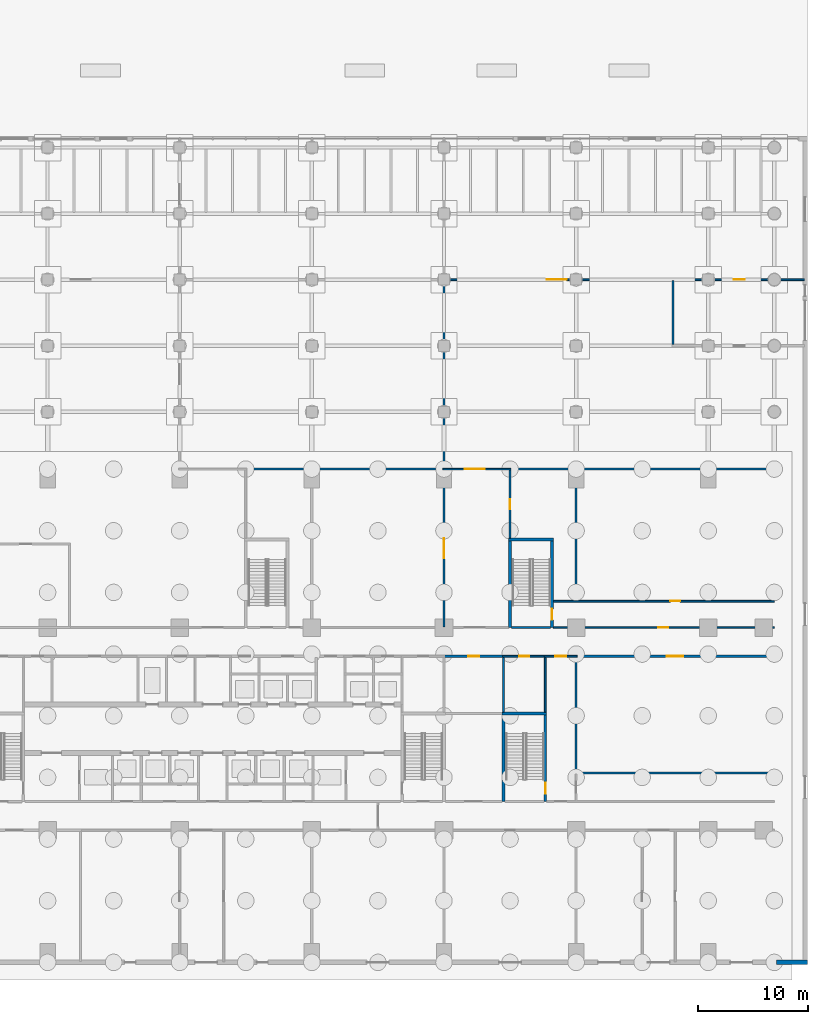
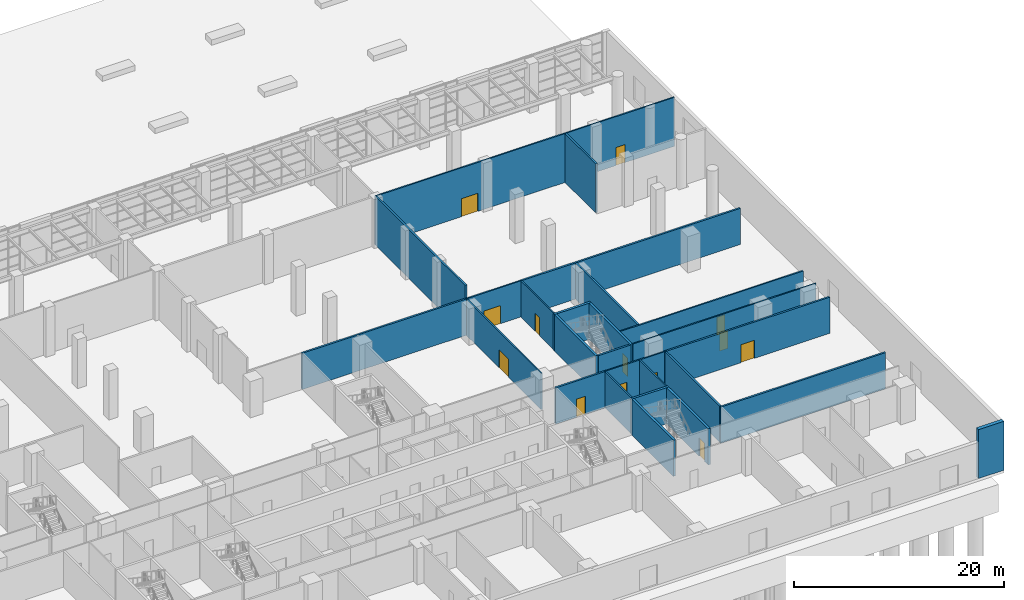
# One storey, part 21 of 27: 27 walls, 13 doors, 13 openings.
"""IFC4 building model written with IfcOpenShell, lengths in metres."""

from ifc_helpers import new_model, si_unit, direction, frame, frame_2d, origin, place, context, subcontext, project, spatial, rectangle, extrude, material, layer, layer_set, type_object, element, fill, save


model = new_model("IFC4")

# Units and contexts
model_context = context("Model", 3, precision=1e-05, world=origin(), true_north=direction((0.0, 1.0)))
body_context = subcontext(model_context, "Body", "Model", "MODEL_VIEW")
ifc_project = project(units=[si_unit("LENGTHUNIT", "METRE"), si_unit("AREAUNIT", "SQUARE_METRE"), si_unit("VOLUMEUNIT", "CUBIC_METRE"), si_unit("PLANEANGLEUNIT", "RADIAN"), si_unit("MASSUNIT", "GRAM", prefix="KILO")], contexts=[model_context])

# Site, building, storey
site_placement = place(None, origin())
site = spatial("IfcSite", under=ifc_project, at=site_placement, CompositionType="ELEMENT")
building_placement = place(site_placement, origin())
building = spatial("IfcBuilding", under=site, at=building_placement, Name="Poui Terraces", CompositionType="ELEMENT")
storey_placement = place(building_placement, origin())
storey = spatial("IfcBuildingStorey", under=building, at=storey_placement, Name="L00", CompositionType="ELEMENT", Elevation=0.0)

# Walls
ifc_material_1 = material(Name="Fire-rated masonry wall", Category="masonry")
ifc_layer_1 = layer(ifc_material_1, 0.199951171875)
ifc_layer_set_1 = layer_set([ifc_layer_1], Name="Fire-rated masonry wall")
wall_type_1 = type_object("IfcWallType", Name="COMPARTMENT WALL 200", PredefinedType="PARTITIONING", material=ifc_layer_set_1)
wall_1_placement = place(storey_placement, frame((53.925048828125, 44.800048828125, 0.0), z_axis=(0.0, 0.0, 1.0), x_axis=(1.0, 0.0, 0.0)))
element("IfcWall", 1, at=wall_1_placement, inside=storey, type_object=wall_type_1, Name="COMPARTMENT WALL 200", PredefinedType="PARTITIONING", context=body_context, shape_type="SweptSolid", body=[
    extrude(rectangle(XDim=18.175048828125, YDim=0.199951171875, at=frame_2d((9.08740234375, 0.0))), origin(), (0.0, 0.0, 1.0), 4.199951171875),
])
wall_2_placement = place(storey_placement, frame((77.925048828125, 44.800048828125, 0.0), z_axis=(0.0, 0.0, 1.0), x_axis=(1.0, 0.0, 0.0)))
element("IfcWall", 2, at=wall_2_placement, inside=storey, type_object=wall_type_1, Name="COMPARTMENT WALL 200", PredefinedType="PARTITIONING", context=body_context, shape_type="SweptSolid", body=[
    extrude(rectangle(XDim=24.074951171875, YDim=0.199951171875, at=frame_2d((12.03759765625, 0.0))), origin(), (0.0, 0.0, 1.0), 4.199951171875),
])
wall_3_placement = place(storey_placement, frame((84.0, 32.875, 0.0), z_axis=(0.0, 0.0, 1.0), x_axis=(0.0, 1.0, 0.0)))
element("IfcWall", 3, at=wall_3_placement, inside=storey, type_object=wall_type_1, Name="COMPARTMENT WALL 200", PredefinedType="PARTITIONING", context=body_context, shape_type="SweptSolid", body=[
    extrude(rectangle(XDim=11.824951171875, YDim=0.199951171875, at=frame_2d((5.91259765625, 0.0))), origin(), (0.0, 0.0, 1.0), 4.199951171875),
])
ifc_layer_2 = layer(ifc_material_1, 0.199951171875)
ifc_layer_set_2 = layer_set([ifc_layer_2], Name="Fire-rated masonry wall")
wall_type_2 = type_object("IfcWallType", Name="COMPARTMENT WALL 200 5680 HIGH", PredefinedType="PARTITIONING", material=ifc_layer_set_2)
wall_4_placement = place(storey_placement, frame((72.0, 44.89990234375, 0.0), z_axis=(0.0, 0.0, 1.0), x_axis=(0.0, 1.0, 0.0)))
element("IfcWall", 4, at=wall_4_placement, inside=storey, type_object=wall_type_2, Name="COMPARTMENT WALL 200", PredefinedType="PARTITIONING", context=body_context, shape_type="SweptSolid", body=[
    extrude(rectangle(XDim=17.0, YDim=0.199951171875, at=frame_2d((8.5, 0.0))), origin(), (0.0, 0.0, 1.0), 5.679931640625),
])
wall_5_placement = place(storey_placement, frame((92.800048828125, 56.10009765625, 0.0), z_axis=(0.0, 0.0, 1.0), x_axis=(0.0, 1.0, 0.0)))
element("IfcWall", 5, at=wall_5_placement, inside=storey, type_object=wall_type_2, Name="COMPARTMENT WALL 200", PredefinedType="PARTITIONING", context=body_context, shape_type="SweptSolid", body=[
    extrude(rectangle(XDim=5.824951171875, YDim=0.199951171875, at=frame_2d((2.91259765625, 0.0))), origin(), (0.0, 0.0, 1.0), 5.679931640625),
])

# Wall, opening, door
ifc_material_2 = material(Name="Fire-rated plasterboard wall")
ifc_layer_3 = layer(ifc_material_2, 0.14990234375)
ifc_layer_set_3 = layer_set([ifc_layer_3], Name="Fire-rated plasterboard wall")
wall_type_3 = type_object("IfcWallType", Name="CORRIDOR WALL 150", PredefinedType="PARTITIONING", material=ifc_layer_set_3)
wall_6_placement = place(storey_placement, frame((81.125, 27.800048828125, 0.0), z_axis=(0.0, 0.0, 1.0), x_axis=(1.0, 0.0, 0.0)))
wall_6 = element("IfcWall", 6, at=wall_6_placement, inside=storey, type_object=wall_type_3, Name="CORRIDOR WALL 150", PredefinedType="PARTITIONING", context=body_context, shape_type="SweptSolid", body=[
    extrude(rectangle(XDim=2.97509765625, YDim=0.14990234375, at=frame_2d((1.487548828125, 0.0))), origin(), (0.0, 0.0, 1.0), 4.199951171875),
])
opening_1_placement = place(wall_6_placement, frame((0.97509765625, 0.0, 0.0)))
opening_1 = element("IfcOpeningElement", 7, at=opening_1_placement, cuts=wall_6, Name="Opening FDL", PredefinedType="OPENING", context=body_context, shape_type="SweptSolid", body=[
    extrude(rectangle(XDim=1.0, YDim=2.10009765625, at=frame_2d((0.5, 1.050048828125))), frame((0.0, 0.0849609375, 0.0), z_axis=(0.0, -1.0, 0.0), x_axis=(1.0, 0.0, 0.0)), (0.0, 0.0, 1.0), 0.169921875),
])
ifc_material_3 = material(Name="Steel fire door", Category="steel")
door_type_1 = type_object("IfcDoorType", Name="LOBBY FIRE DOOR 1000 X 2100", OperationType="NOTDEFINED", PredefinedType="DOOR", material=ifc_material_3)
door_1_placement = place(opening_1_placement, origin())
door_1 = element("IfcDoor", 8, at=door_1_placement, inside=storey, type_object=door_type_1, Name="LOBBY FIRE DOOR 041", OperationType="SINGLE_SWING_LEFT", OverallHeight=2.10009765625, OverallWidth=1.0, PredefinedType="DOOR", context=body_context, shape_type="SweptSolid", body=[
    extrude(rectangle(XDim=1.0, YDim=2.10009765625, at=frame_2d((0.5, 1.050048828125))), frame((0.0, 0.02490234375, 0.0), z_axis=(0.0, -1.0, 0.0), x_axis=(1.0, 0.0, 0.0)), (0.0, 0.0, 1.0), 0.050048828125),
])
fill(opening_1, door_1)

wall_7_placement = place(storey_placement, frame((81.93505859375, 30.39990234375, 0.0), z_axis=(0.0, 0.0, 1.0), x_axis=(1.0, 0.0, 0.0)))
wall_7 = element("IfcWall", 9, at=wall_7_placement, inside=storey, type_object=wall_type_3, Name="CORRIDOR WALL 150", PredefinedType="PARTITIONING", context=body_context, shape_type="SweptSolid", body=[
    extrude(rectangle(XDim=20.06494140625, YDim=0.14990234375, at=frame_2d((10.032470703125, 0.0))), origin(), (0.0, 0.0, 1.0), 4.199951171875),
])
opening_2_placement = place(wall_7_placement, frame((9.514892578125, 0.0, 0.0)))
opening_2 = element("IfcOpeningElement", 10, at=opening_2_placement, cuts=wall_7, Name="Opening D90", PredefinedType="OPENING", context=body_context, shape_type="SweptSolid", body=[
    extrude(rectangle(XDim=0.89990234375, YDim=2.10009765625, at=frame_2d((0.449951171875, 1.050048828125))), frame((0.0, 0.0849609375, 0.0), z_axis=(0.0, -1.0, 0.0), x_axis=(1.0, 0.0, 0.0)), (0.0, 0.0, 1.0), 0.169921875),
])
ifc_material_4 = material(Name="Solid core timber door", Category="wood")
door_type_2 = type_object("IfcDoorType", Name="INTERNAL DOOR 900 X 2100", OperationType="NOTDEFINED", PredefinedType="DOOR", material=ifc_material_4)
door_2_placement = place(opening_2_placement, frame((0.89990234375, 0.0, 0.0), z_axis=(0.0, 0.0, 1.0), x_axis=(-1.0, 0.0, 0.0)))
door_2 = element("IfcDoor", 11, at=door_2_placement, inside=storey, type_object=door_type_2, Name="INTERNAL DOOR 042", OperationType="SINGLE_SWING_LEFT", OverallHeight=2.10009765625, OverallWidth=0.89990234375, PredefinedType="DOOR", context=body_context, shape_type="SweptSolid", body=[
    extrude(rectangle(XDim=0.89990234375, YDim=2.10009765625, at=frame_2d((0.449951171875, 1.050048828125))), frame((0.0, 0.02490234375, 0.0), z_axis=(0.0, -1.0, 0.0), x_axis=(1.0, 0.0, 0.0)), (0.0, 0.0, 1.0), 0.050048828125),
])
fill(opening_2, door_2)

wall_8_placement = place(storey_placement, frame((81.93505859375, 32.800048828125, 0.0), z_axis=(0.0, 0.0, 1.0), x_axis=(1.0, 0.0, 0.0)))
wall_8 = element("IfcWall", 12, at=wall_8_placement, inside=storey, type_object=wall_type_3, Name="CORRIDOR WALL 150", PredefinedType="PARTITIONING", context=body_context, shape_type="SweptSolid", body=[
    extrude(rectangle(XDim=20.06494140625, YDim=0.14990234375, at=frame_2d((10.032470703125, 0.0))), origin(), (0.0, 0.0, 1.0), 4.199951171875),
])
opening_3_placement = place(wall_8_placement, frame((10.614990234375, 0.0, 0.0)))
opening_3 = element("IfcOpeningElement", 13, at=opening_3_placement, cuts=wall_8, Name="Opening D90", PredefinedType="OPENING", context=body_context, shape_type="SweptSolid", body=[
    extrude(rectangle(XDim=0.89990234375, YDim=2.10009765625, at=frame_2d((0.449951171875, 1.050048828125))), frame((0.0, 0.0849609375, 0.0), z_axis=(0.0, -1.0, 0.0), x_axis=(1.0, 0.0, 0.0)), (0.0, 0.0, 1.0), 0.169921875),
])
door_3_placement = place(opening_3_placement, frame((0.89990234375, 0.0, 0.0), z_axis=(0.0, 0.0, 1.0), x_axis=(-1.0, 0.0, 0.0)))
door_3 = element("IfcDoor", 14, at=door_3_placement, inside=storey, type_object=door_type_2, Name="INTERNAL DOOR 080", OperationType="SINGLE_SWING_RIGHT", OverallHeight=2.10009765625, OverallWidth=0.89990234375, PredefinedType="DOOR", context=body_context, shape_type="SweptSolid", body=[
    extrude(rectangle(XDim=0.89990234375, YDim=2.10009765625, at=frame_2d((0.449951171875, 1.050048828125))), frame((0.0, 0.02490234375, 0.0), z_axis=(0.0, -1.0, 0.0), x_axis=(1.0, 0.0, 0.0)), (0.0, 0.0, 1.0), 0.050048828125),
])
fill(opening_3, door_3)

wall_9_placement = place(storey_placement, frame((71.89990234375, 44.800048828125, 0.0), z_axis=(0.0, 0.0, 1.0), x_axis=(1.0, 0.0, 0.0)))
wall_9 = element("IfcWall", 15, at=wall_9_placement, inside=storey, type_object=wall_type_3, Name="CORRIDOR WALL 150", PredefinedType="PARTITIONING", context=body_context, shape_type="SweptSolid", body=[
    extrude(rectangle(XDim=6.175048828125, YDim=0.14990234375, at=frame_2d((3.08740234375, 0.0))), origin(), (0.0, 0.0, 1.0), 4.199951171875),
])
opening_4_placement = place(wall_9_placement, frame((2.0, 0.0, 0.0)))
opening_4 = element("IfcOpeningElement", 16, at=opening_4_placement, cuts=wall_9, Name="Opening DD180", PredefinedType="OPENING", context=body_context, shape_type="SweptSolid", body=[
    extrude(rectangle(XDim=1.800048828125, YDim=2.10009765625, at=frame_2d((0.89990234375, 1.050048828125))), frame((0.0, 0.0849609375, 0.0), z_axis=(0.0, -1.0, 0.0), x_axis=(1.0, 0.0, 0.0)), (0.0, 0.0, 1.0), 0.169921875),
])
door_type_3 = type_object("IfcDoorType", Name="DOUBLE INTERNAL DOOR 1800 X 2100", OperationType="DOUBLE_DOOR_SINGLE_SWING", PredefinedType="DOOR", material=ifc_material_3)
door_4_placement = place(opening_4_placement, frame((1.800048828125, 0.0, 0.0), z_axis=(0.0, 0.0, 1.0), x_axis=(-1.0, 0.0, 0.0)))
door_4 = element("IfcDoor", 17, at=door_4_placement, inside=storey, type_object=door_type_3, Name="DOUBLE INTERNAL DOOR 064", OperationType="DOUBLE_DOOR_SINGLE_SWING", OverallHeight=2.10009765625, OverallWidth=1.800048828125, PredefinedType="DOOR", context=body_context, shape_type="SweptSolid", body=[
    extrude(rectangle(XDim=1.800048828125, YDim=2.10009765625, at=frame_2d((0.89990234375, 1.050048828125))), frame((0.0, 0.02490234375, 0.0), z_axis=(0.0, -1.0, 0.0), x_axis=(1.0, 0.0, 0.0)), (0.0, 0.0, 1.0), 0.050048828125),
])
fill(opening_4, door_4)

wall_10_placement = place(storey_placement, frame((72.0, 30.47509765625, 0.0), z_axis=(0.0, 0.0, 1.0), x_axis=(0.0, 1.0, 0.0)))
wall_10 = element("IfcWall", 18, at=wall_10_placement, inside=storey, type_object=wall_type_3, Name="CORRIDOR WALL 150", PredefinedType="PARTITIONING", context=body_context, shape_type="SweptSolid", body=[
    extrude(rectangle(XDim=14.224853515625, YDim=0.14990234375, at=frame_2d((7.1123046875, 0.0))), origin(), (0.0, 0.0, 1.0), 4.199951171875),
])
opening_5_placement = place(wall_10_placement, frame((6.22509765625, 0.0, 0.0)))
opening_5 = element("IfcOpeningElement", 19, at=opening_5_placement, cuts=wall_10, Name="Opening DD180", PredefinedType="OPENING", context=body_context, shape_type="SweptSolid", body=[
    extrude(rectangle(XDim=1.800048828125, YDim=2.10009765625, at=frame_2d((0.89990234375, 1.050048828125))), frame((0.0, 0.0849609375, 0.0), z_axis=(0.0, -1.0, 0.0), x_axis=(1.0, 0.0, 0.0)), (0.0, 0.0, 1.0), 0.169921875),
])
door_5_placement = place(opening_5_placement, frame((1.800048828125, 0.0, 0.0), z_axis=(0.0, 0.0, 1.0), x_axis=(-1.0, 0.0, 0.0)))
door_5 = element("IfcDoor", 20, at=door_5_placement, inside=storey, type_object=door_type_3, Name="DOUBLE INTERNAL DOOR 063", OperationType="DOUBLE_DOOR_SINGLE_SWING", OverallHeight=2.10009765625, OverallWidth=1.800048828125, PredefinedType="DOOR", context=body_context, shape_type="SweptSolid", body=[
    extrude(rectangle(XDim=1.800048828125, YDim=2.10009765625, at=frame_2d((0.89990234375, 1.050048828125))), frame((0.0, 0.02490234375, 0.0), z_axis=(0.0, -1.0, 0.0), x_axis=(1.0, 0.0, 0.0)), (0.0, 0.0, 1.0), 0.050048828125),
])
fill(opening_5, door_5)

wall_11_placement = place(storey_placement, frame((78.0, 38.534912109375, 0.0), z_axis=(0.0, 0.0, 1.0), x_axis=(0.0, 1.0, 0.0)))
wall_11 = element("IfcWall", 21, at=wall_11_placement, inside=storey, type_object=wall_type_3, Name="CORRIDOR WALL 150", PredefinedType="PARTITIONING", context=body_context, shape_type="SweptSolid", body=[
    extrude(rectangle(XDim=6.1650390625, YDim=0.14990234375, at=frame_2d((3.08251953125, 0.0))), origin(), (0.0, 0.0, 1.0), 4.199951171875),
])
opening_6_placement = place(wall_11_placement, frame((2.614990234375, 0.0, 0.0)))
opening_6 = element("IfcOpeningElement", 22, at=opening_6_placement, cuts=wall_11, Name="Opening D90", PredefinedType="OPENING", context=body_context, shape_type="SweptSolid", body=[
    extrude(rectangle(XDim=0.89990234375, YDim=2.10009765625, at=frame_2d((0.449951171875, 1.050048828125))), frame((0.0, 0.0849609375, 0.0), z_axis=(0.0, -1.0, 0.0), x_axis=(1.0, 0.0, 0.0)), (0.0, 0.0, 1.0), 0.169921875),
])
door_6_placement = place(opening_6_placement, origin())
door_6 = element("IfcDoor", 23, at=door_6_placement, inside=storey, type_object=door_type_2, Name="INTERNAL DOOR 065", OperationType="SINGLE_SWING_LEFT", OverallHeight=2.10009765625, OverallWidth=0.89990234375, PredefinedType="DOOR", context=body_context, shape_type="SweptSolid", body=[
    extrude(rectangle(XDim=0.89990234375, YDim=2.10009765625, at=frame_2d((0.449951171875, 1.050048828125))), frame((0.0, 0.02490234375, 0.0), z_axis=(0.0, -1.0, 0.0), x_axis=(1.0, 0.0, 0.0)), (0.0, 0.0, 1.0), 0.050048828125),
])
fill(opening_6, door_6)

# Wall, openings, doors
ifc_layer_4 = layer(ifc_material_2, 0.14990234375)
ifc_layer_set_4 = layer_set([ifc_layer_4], Name="Fire-rated plasterboard wall")
wall_type_4 = type_object("IfcWallType", Name="CORRIDOR WALL 150 5680 HIGH", PredefinedType="PARTITIONING", material=ifc_layer_set_4)
wall_12_placement = place(storey_placement, frame((71.89990234375, 62.0, 0.0), z_axis=(0.0, 0.0, 1.0), x_axis=(1.0, 0.0, 0.0)))
wall_12 = element("IfcWall", 24, at=wall_12_placement, inside=storey, type_object=wall_type_4, Name="CORRIDOR WALL 150", PredefinedType="PARTITIONING", context=body_context, shape_type="SweptSolid", body=[
    extrude(rectangle(XDim=32.840087890625, YDim=0.14990234375, at=frame_2d((16.419921875, 0.0))), origin(), (0.0, 0.0, 1.0), 5.679931640625),
])
opening_7_placement = place(wall_12_placement, frame((9.449951171875, 0.0, 0.0)))
opening_7 = element("IfcOpeningElement", 25, at=opening_7_placement, cuts=wall_12, Name="Opening DD180", PredefinedType="OPENING", context=body_context, shape_type="SweptSolid", body=[
    extrude(rectangle(XDim=1.800048828125, YDim=2.10009765625, at=frame_2d((0.89990234375, 1.050048828125))), frame((0.0, 0.0849609375, 0.0), z_axis=(0.0, -1.0, 0.0), x_axis=(1.0, 0.0, 0.0)), (0.0, 0.0, 1.0), 0.169921875),
])
opening_8_placement = place(wall_12_placement, frame((26.39990234375, 0.0, 0.0)))
opening_8 = element("IfcOpeningElement", 26, at=opening_8_placement, cuts=wall_12, Name="Opening D100", PredefinedType="OPENING", context=body_context, shape_type="SweptSolid", body=[
    extrude(rectangle(XDim=1.0, YDim=2.10009765625, at=frame_2d((0.5, 1.050048828125))), frame((0.0, 0.0849609375, 0.0), z_axis=(0.0, -1.0, 0.0), x_axis=(1.0, 0.0, 0.0)), (0.0, 0.0, 1.0), 0.169921875),
])
door_type_4 = type_object("IfcDoorType", Name="ACCESSIBLE INTERNAL DOOR 1000 X 2100", OperationType="NOTDEFINED", PredefinedType="DOOR", material=ifc_material_4)
door_7_placement = place(opening_8_placement, frame((1.0, 0.0, 0.0), z_axis=(0.0, 0.0, 1.0), x_axis=(-1.0, 0.0, 0.0)))
door_7 = element("IfcDoor", 27, at=door_7_placement, inside=storey, type_object=door_type_4, Name="ACCESSIBLE INTERNAL DOOR 072", OperationType="SINGLE_SWING_RIGHT", OverallHeight=2.10009765625, OverallWidth=1.0, PredefinedType="DOOR", context=body_context, shape_type="SweptSolid", body=[
    extrude(rectangle(XDim=1.0, YDim=2.10009765625, at=frame_2d((0.5, 1.050048828125))), frame((0.0, 0.02490234375, 0.0), z_axis=(0.0, -1.0, 0.0), x_axis=(1.0, 0.0, 0.0)), (0.0, 0.0, 1.0), 0.050048828125),
])
fill(opening_8, door_7)
door_8_placement = place(opening_7_placement, origin())
door_8 = element("IfcDoor", 28, at=door_8_placement, inside=storey, type_object=door_type_3, Name="DOUBLE INTERNAL DOOR 016", OperationType="DOUBLE_DOOR_SINGLE_SWING", OverallHeight=2.10009765625, OverallWidth=1.800048828125, PredefinedType="DOOR", context=body_context, shape_type="SweptSolid", body=[
    extrude(rectangle(XDim=1.800048828125, YDim=2.10009765625, at=frame_2d((0.89990234375, 1.050048828125))), frame((0.0, 0.02490234375, 0.0), z_axis=(0.0, -1.0, 0.0), x_axis=(1.0, 0.0, 0.0)), (0.0, 0.0, 1.0), 0.050048828125),
])
fill(opening_7, door_8)

# Walls
ifc_material_5 = material(Name="Precast concrete 40 MPa", Category="concrete")
ifc_layer_5 = layer(ifc_material_5, 0.39990234375)
ifc_layer_set_5 = layer_set([ifc_layer_5], Name="Precast concrete 40 MPa")
wall_type_5 = type_object("IfcWallType", Name="EXTERNAL WALL 400", PredefinedType="STANDARD", material=ifc_layer_set_5)
wall_13_placement = place(storey_placement, frame((102.199951171875, 0.0, 0.0), z_axis=(0.0, 0.0, 1.0), x_axis=(1.0, 0.0, 0.0)))
element("IfcWall", 29, at=wall_13_placement, inside=storey, type_object=wall_type_5, Name="EXTERNAL WALL S", PredefinedType="STANDARD", context=body_context, shape_type="SweptSolid", body=[
    extrude(rectangle(XDim=2.800048828125, YDim=0.39990234375, at=frame_2d((1.39990234375, 0.0))), origin(), (0.0, 0.0, 1.0), 5.679931640625),
])
ifc_layer_6 = layer(ifc_material_1, 0.199951171875)
ifc_layer_set_6 = layer_set([ifc_layer_6], Name="Fire-rated masonry wall")
wall_type_6 = type_object("IfcWallType", Name="PLANT ROOM WALL 200", PredefinedType="PARTITIONING", material=ifc_layer_set_6)
wall_14_placement = place(storey_placement, frame((83.89990234375, 17.199951171875, 0.0), z_axis=(0.0, 0.0, 1.0), x_axis=(1.0, 0.0, 0.0)))
element("IfcWall", 30, at=wall_14_placement, inside=storey, type_object=wall_type_6, Name="PLANT ROOM WALL 200", PredefinedType="PARTITIONING", context=body_context, shape_type="SweptSolid", body=[
    extrude(rectangle(XDim=18.10009765625, YDim=0.199951171875, at=frame_2d((9.050048828125, 0.0))), origin(), (0.0, 0.0, 1.0), 4.199951171875),
])

# Wall, opening, door
wall_15_placement = place(storey_placement, frame((71.925048828125, 27.800048828125, 0.0), z_axis=(0.0, 0.0, 1.0), x_axis=(1.0, 0.0, 0.0)))
wall_15 = element("IfcWall", 31, at=wall_15_placement, inside=storey, type_object=wall_type_6, Name="PLANT ROOM WALL 200", PredefinedType="PARTITIONING", context=body_context, shape_type="SweptSolid", body=[
    extrude(rectangle(XDim=5.550048828125, YDim=0.199951171875, at=frame_2d((2.77490234375, 0.0))), origin(), (0.0, 0.0, 1.0), 4.199951171875),
])
opening_9_placement = place(wall_15_placement, frame((2.27490234375, 0.0, 0.0)))
opening_9 = element("IfcOpeningElement", 32, at=opening_9_placement, cuts=wall_15, Name="Opening FD60", PredefinedType="OPENING", context=body_context, shape_type="SweptSolid", body=[
    extrude(rectangle(XDim=1.0, YDim=2.10009765625, at=frame_2d((0.5, 1.050048828125))), frame((0.0, 0.10986328125, 0.0), z_axis=(0.0, -1.0, 0.0), x_axis=(1.0, 0.0, 0.0)), (0.0, 0.0, 1.0), 0.219970703125),
])
door_type_5 = type_object("IfcDoorType", Name="SERVICE ROOM FIRE DOOR 1000 X 2100", OperationType="NOTDEFINED", PredefinedType="DOOR", material=ifc_material_3)
door_9_placement = place(opening_9_placement, origin())
door_9 = element("IfcDoor", 33, at=door_9_placement, inside=storey, type_object=door_type_5, Name="SERVICE ROOM FIRE DOOR 038", OperationType="SINGLE_SWING_LEFT", OverallHeight=2.10009765625, OverallWidth=1.0, PredefinedType="DOOR", context=body_context, shape_type="SweptSolid", body=[
    extrude(rectangle(XDim=1.0, YDim=2.10009765625, at=frame_2d((0.5, 1.050048828125))), frame((0.0, 0.02490234375, 0.0), z_axis=(0.0, -1.0, 0.0), x_axis=(1.0, 0.0, 0.0)), (0.0, 0.0, 1.0), 0.050048828125),
])
fill(opening_9, door_9)

wall_16_placement = place(storey_placement, frame((83.89990234375, 27.800048828125, 0.0), z_axis=(0.0, 0.0, 1.0), x_axis=(1.0, 0.0, 0.0)))
wall_16 = element("IfcWall", 34, at=wall_16_placement, inside=storey, type_object=wall_type_6, Name="PLANT ROOM WALL 200", PredefinedType="PARTITIONING", context=body_context, shape_type="SweptSolid", body=[
    extrude(rectangle(XDim=18.10009765625, YDim=0.199951171875, at=frame_2d((9.050048828125, 0.0))), origin(), (0.0, 0.0, 1.0), 4.199951171875),
])
opening_10_placement = place(wall_16_placement, frame((8.35009765625, 0.0, 0.0)))
opening_10 = element("IfcOpeningElement", 35, at=opening_10_placement, cuts=wall_16, Name="Opening FDP", PredefinedType="OPENING", context=body_context, shape_type="SweptSolid", body=[
    extrude(rectangle(XDim=1.5, YDim=2.10009765625, at=frame_2d((0.75, 1.050048828125))), frame((0.0, 0.10986328125, 0.0), z_axis=(0.0, -1.0, 0.0), x_axis=(1.0, 0.0, 0.0)), (0.0, 0.0, 1.0), 0.219970703125),
])
door_type_6 = type_object("IfcDoorType", Name="PLANT ROOM DOOR PAIR 1500 X 2100", OperationType="DOUBLE_DOOR_SINGLE_SWING", PredefinedType="DOOR", material=ifc_material_3)
door_10_placement = place(opening_10_placement, origin())
door_10 = element("IfcDoor", 36, at=door_10_placement, inside=storey, type_object=door_type_6, Name="PLANT ROOM DOOR PAIR 043", OperationType="DOUBLE_DOOR_SINGLE_SWING", OverallHeight=2.10009765625, OverallWidth=1.5, PredefinedType="DOOR", context=body_context, shape_type="SweptSolid", body=[
    extrude(rectangle(XDim=1.5, YDim=2.10009765625, at=frame_2d((0.75, 1.050048828125))), frame((0.0, 0.02490234375, 0.0), z_axis=(0.0, -1.0, 0.0), x_axis=(1.0, 0.0, 0.0)), (0.0, 0.0, 1.0), 0.050048828125),
])
fill(opening_10, door_10)

# Wall
wall_17_placement = place(storey_placement, frame((84.0, 17.300048828125, 0.0), z_axis=(0.0, 0.0, 1.0), x_axis=(0.0, 1.0, 0.0)))
element("IfcWall", 37, at=wall_17_placement, inside=storey, type_object=wall_type_6, Name="PLANT ROOM WALL 200", PredefinedType="PARTITIONING", context=body_context, shape_type="SweptSolid", body=[
    extrude(rectangle(XDim=10.39990234375, YDim=0.199951171875, at=frame_2d((5.199951171875, 0.0))), origin(), (0.0, 0.0, 1.0), 4.199951171875),
])

# Wall, opening, door
ifc_material_6 = material(Name="Fire-rated plasterboard riser wall")
ifc_layer_7 = layer(ifc_material_6, 0.14990234375)
ifc_layer_set_7 = layer_set([ifc_layer_7], Name="Fire-rated plasterboard riser wall")
wall_type_7 = type_object("IfcWallType", Name="RISER WALL 150", PredefinedType="PARTITIONING", material=ifc_layer_set_7)
wall_18_placement = place(storey_placement, frame((77.324951171875, 27.800048828125, 0.0), z_axis=(0.0, 0.0, 1.0), x_axis=(1.0, 0.0, 0.0)))
wall_18 = element("IfcWall", 38, at=wall_18_placement, inside=storey, type_object=wall_type_7, Name="RISER WALL 150", PredefinedType="PARTITIONING", context=body_context, shape_type="SweptSolid", body=[
    extrude(rectangle(XDim=3.949951171875, YDim=0.14990234375, at=frame_2d((1.97509765625, 0.0))), origin(), (0.0, 0.0, 1.0), 4.199951171875),
])
opening_11_placement = place(wall_18_placement, frame((1.52490234375, 0.0, 0.0)))
opening_11 = element("IfcOpeningElement", 39, at=opening_11_placement, cuts=wall_18, Name="Opening FDR", PredefinedType="OPENING", context=body_context, shape_type="SweptSolid", body=[
    extrude(rectangle(XDim=0.89990234375, YDim=2.10009765625, at=frame_2d((0.449951171875, 1.050048828125))), frame((0.0, 0.0849609375, 0.0), z_axis=(0.0, -1.0, 0.0), x_axis=(1.0, 0.0, 0.0)), (0.0, 0.0, 1.0), 0.169921875),
])
door_type_7 = type_object("IfcDoorType", Name="RISER CUPBOARD DOOR 900 X 2100", OperationType="NOTDEFINED", PredefinedType="DOOR", material=ifc_material_3)
door_11_placement = place(opening_11_placement, origin())
door_11 = element("IfcDoor", 40, at=door_11_placement, inside=storey, type_object=door_type_7, Name="RISER CUPBOARD DOOR 040", OperationType="SINGLE_SWING_LEFT", OverallHeight=2.10009765625, OverallWidth=0.89990234375, PredefinedType="DOOR", context=body_context, shape_type="SweptSolid", body=[
    extrude(rectangle(XDim=0.89990234375, YDim=2.10009765625, at=frame_2d((0.449951171875, 1.050048828125))), frame((0.0, 0.02490234375, 0.0), z_axis=(0.0, -1.0, 0.0), x_axis=(1.0, 0.0, 0.0)), (0.0, 0.0, 1.0), 0.050048828125),
])
fill(opening_11, door_11)

# Walls
wall_19_placement = place(storey_placement, frame((77.39990234375, 22.735107421875, 0.0), z_axis=(0.0, 0.0, 1.0), x_axis=(0.0, 1.0, 0.0)))
element("IfcWall", 41, at=wall_19_placement, inside=storey, type_object=wall_type_7, Name="RISER WALL 150", PredefinedType="PARTITIONING", context=body_context, shape_type="SweptSolid", body=[
    extrude(rectangle(XDim=4.96484375, YDim=0.14990234375, at=frame_2d((2.482421875, 0.0))), origin(), (0.0, 0.0, 1.0), 4.199951171875),
])
wall_20_placement = place(storey_placement, frame((81.199951171875, 22.735107421875, 0.0), z_axis=(0.0, 0.0, 1.0), x_axis=(0.0, 1.0, 0.0)))
element("IfcWall", 42, at=wall_20_placement, inside=storey, type_object=wall_type_7, Name="RISER WALL 150", PredefinedType="PARTITIONING", context=body_context, shape_type="SweptSolid", body=[
    extrude(rectangle(XDim=4.989990234375, YDim=0.14990234375, at=frame_2d((2.4951171875, 0.0))), origin(), (0.0, 0.0, 1.0), 4.199951171875),
])
ifc_material_7 = material(Name="Concrete 80 MPa", Category="concrete")
ifc_layer_8 = layer(ifc_material_7, 0.25)
ifc_layer_set_8 = layer_set([ifc_layer_8], Name="Concrete 80 MPa")
wall_type_8 = type_object("IfcWallType", Name="STAIR CORE WALL 250 80 MPA", PredefinedType="SOLIDWALL", material=ifc_layer_set_8)
wall_21_placement = place(storey_placement, frame((77.39990234375, 14.60009765625, 0.0), z_axis=(0.0, 0.0, 1.0), x_axis=(0.0, 1.0, 0.0)))
element("IfcWall", 43, at=wall_21_placement, inside=storey, type_object=wall_type_8, Name="STAIR CORE WALL", PredefinedType="SOLIDWALL", context=body_context, shape_type="SweptSolid", body=[
    extrude(rectangle(XDim=7.875, YDim=0.25, at=frame_2d((3.9375, 0.0))), origin(), (0.0, 0.0, 1.0), 4.199951171875),
])

# Wall, opening, door
wall_22_placement = place(storey_placement, frame((81.199951171875, 14.60009765625, 0.0), z_axis=(0.0, 0.0, 1.0), x_axis=(0.0, 1.0, 0.0)))
wall_22 = element("IfcWall", 44, at=wall_22_placement, inside=storey, type_object=wall_type_8, Name="STAIR CORE WALL", PredefinedType="SOLIDWALL", context=body_context, shape_type="SweptSolid", body=[
    extrude(rectangle(XDim=7.875, YDim=0.25, at=frame_2d((3.9375, 0.0))), origin(), (0.0, 0.0, 1.0), 4.199951171875),
])
opening_12_placement = place(wall_22_placement, frame((0.699951171875, 0.0, 0.0)))
opening_12 = element("IfcOpeningElement", 45, at=opening_12_placement, cuts=wall_22, Name="Opening FD60S", PredefinedType="OPENING", context=body_context, shape_type="SweptSolid", body=[
    extrude(rectangle(XDim=1.0, YDim=2.10009765625, at=frame_2d((0.5, 1.050048828125))), frame((0.0, 0.135009765625, 0.0), z_axis=(0.0, -1.0, 0.0), x_axis=(1.0, 0.0, 0.0)), (0.0, 0.0, 1.0), 0.27001953125),
])
door_type_8 = type_object("IfcDoorType", Name="STAIR DOOR 1000 X 2100", OperationType="NOTDEFINED", PredefinedType="DOOR", material=ifc_material_3)
door_12_placement = place(opening_12_placement, origin())
door_12 = element("IfcDoor", 46, at=door_12_placement, inside=storey, type_object=door_type_8, Name="STAIR DOOR 111", OperationType="SINGLE_SWING_RIGHT", OverallHeight=2.10009765625, OverallWidth=1.0, PredefinedType="DOOR", context=body_context, shape_type="SweptSolid", body=[
    extrude(rectangle(XDim=1.0, YDim=2.10009765625, at=frame_2d((0.5, 1.050048828125))), frame((0.0, 0.02490234375, 0.0), z_axis=(0.0, -1.0, 0.0), x_axis=(1.0, 0.0, 0.0)), (0.0, 0.0, 1.0), 0.050048828125),
])
fill(opening_12, door_12)

# Wall
wall_23_placement = place(storey_placement, frame((77.27490234375, 22.60009765625, 0.0), z_axis=(0.0, 0.0, 1.0), x_axis=(1.0, 0.0, 0.0)))
element("IfcWall", 47, at=wall_23_placement, inside=storey, type_object=wall_type_8, Name="STAIR CORE WALL", PredefinedType="SOLIDWALL", context=body_context, shape_type="SweptSolid", body=[
    extrude(rectangle(XDim=4.050048828125, YDim=0.25, at=frame_2d((2.02490234375, 0.0))), origin(), (0.0, 0.0, 1.0), 4.199951171875),
])

# Wall, opening, door
wall_24_placement = place(storey_placement, frame((81.800048828125, 30.39990234375, 0.0), z_axis=(0.0, 0.0, 1.0), x_axis=(0.0, 1.0, 0.0)))
wall_24 = element("IfcWall", 48, at=wall_24_placement, inside=storey, type_object=wall_type_8, Name="STAIR CORE WALL", PredefinedType="SOLIDWALL", context=body_context, shape_type="SweptSolid", body=[
    extrude(rectangle(XDim=7.875, YDim=0.25, at=frame_2d((3.9375, 0.0))), origin(), (0.0, 0.0, 1.0), 4.199951171875),
])
opening_13_placement = place(wall_24_placement, frame((0.699951171875, 0.0, 0.0)))
opening_13 = element("IfcOpeningElement", 49, at=opening_13_placement, cuts=wall_24, Name="Opening FD60S", PredefinedType="OPENING", context=body_context, shape_type="SweptSolid", body=[
    extrude(rectangle(XDim=1.0, YDim=2.10009765625, at=frame_2d((0.5, 1.050048828125))), frame((0.0, 0.135009765625, 0.0), z_axis=(0.0, -1.0, 0.0), x_axis=(1.0, 0.0, 0.0)), (0.0, 0.0, 1.0), 0.27001953125),
])
door_13_placement = place(opening_13_placement, frame((1.0, 0.0, 0.0), z_axis=(0.0, 0.0, 1.0), x_axis=(-1.0, 0.0, 0.0)))
door_13 = element("IfcDoor", 50, at=door_13_placement, inside=storey, type_object=door_type_8, Name="STAIR DOOR 076", OperationType="SINGLE_SWING_LEFT", OverallHeight=2.10009765625, OverallWidth=1.0, PredefinedType="DOOR", context=body_context, shape_type="SweptSolid", body=[
    extrude(rectangle(XDim=1.0, YDim=2.10009765625, at=frame_2d((0.5, 1.050048828125))), frame((0.0, 0.02490234375, 0.0), z_axis=(0.0, -1.0, 0.0), x_axis=(1.0, 0.0, 0.0)), (0.0, 0.0, 1.0), 0.050048828125),
])
fill(opening_13, door_13)

# Walls
wall_25_placement = place(storey_placement, frame((77.875, 38.39990234375, 0.0), z_axis=(0.0, 0.0, 1.0), x_axis=(1.0, 0.0, 0.0)))
element("IfcWall", 51, at=wall_25_placement, inside=storey, type_object=wall_type_8, Name="STAIR CORE WALL", PredefinedType="SOLIDWALL", context=body_context, shape_type="SweptSolid", body=[
    extrude(rectangle(XDim=4.050048828125, YDim=0.25, at=frame_2d((2.02490234375, 0.0))), origin(), (0.0, 0.0, 1.0), 4.199951171875),
])
wall_26_placement = place(storey_placement, frame((78.0, 30.39990234375, 0.0), z_axis=(0.0, 0.0, 1.0), x_axis=(0.0, 1.0, 0.0)))
element("IfcWall", 52, at=wall_26_placement, inside=storey, type_object=wall_type_8, Name="STAIR CORE WALL", PredefinedType="SOLIDWALL", context=body_context, shape_type="SweptSolid", body=[
    extrude(rectangle(XDim=7.875, YDim=0.25, at=frame_2d((3.9375, 0.0))), origin(), (0.0, 0.0, 1.0), 4.199951171875),
])
ifc_layer_9 = layer(ifc_material_1, 0.199951171875)
ifc_layer_set_9 = layer_set([ifc_layer_9], Name="Fire-rated masonry wall")
wall_type_9 = type_object("IfcWallType", Name="STAIR WALL 200", PredefinedType="PARTITIONING", material=ifc_layer_set_9)
wall_27_placement = place(storey_placement, frame((78.135009765625, 30.39990234375, 0.0), z_axis=(0.0, 0.0, 1.0), x_axis=(1.0, 0.0, 0.0)))
element("IfcWall", 53, at=wall_27_placement, inside=storey, type_object=wall_type_9, Name="STAIR WALL 200", PredefinedType="PARTITIONING", context=body_context, shape_type="SweptSolid", body=[
    extrude(rectangle(XDim=3.530029296875, YDim=0.199951171875, at=frame_2d((1.76513671875, 0.0))), origin(), (0.0, 0.0, 1.0), 4.199951171875),
])

save(model, "model.ifc")
